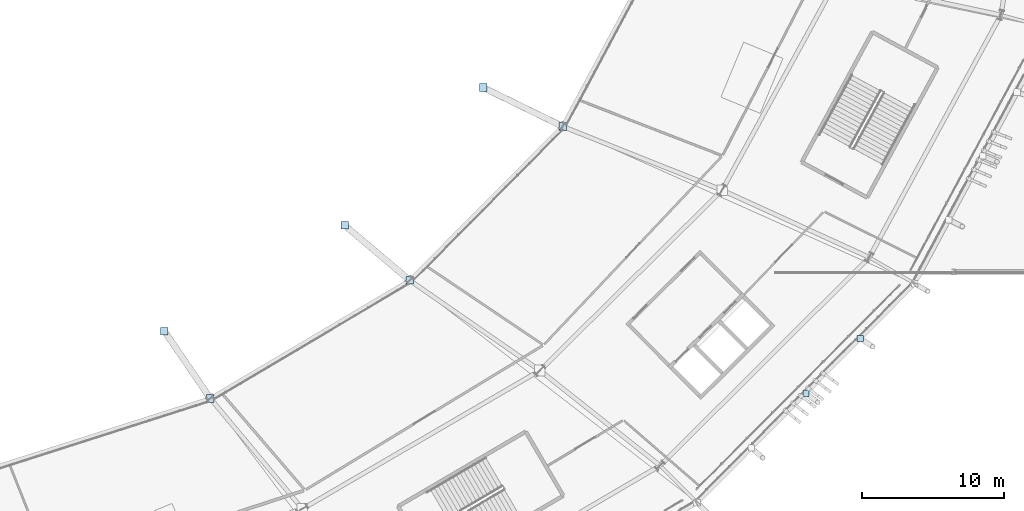
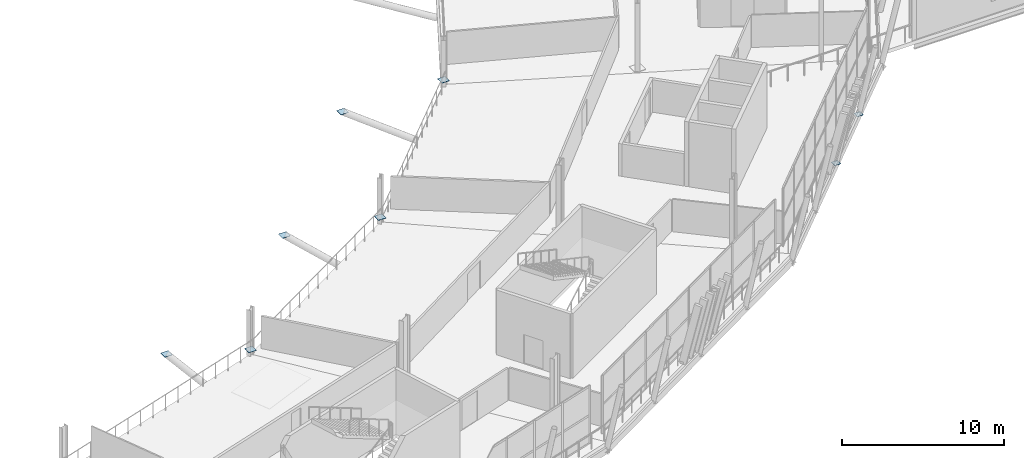
# One storey, part 105 of 168: 8 plates.
"""IFC4 building model written with IfcOpenShell, lengths in metres."""

from ifc_helpers import new_model, si_unit, direction, frame, origin, origin_2d, place, context, subcontext, project, spatial, rectangle, extrude, material, layer, layer_set, type_object, element, save


model = new_model("IFC4")

# Units and contexts
model_context = context("Model", 3, precision=1e-05, world=origin(), true_north=direction((0.0, 1.0)))
body_context = subcontext(model_context, "Body", "Model", "MODEL_VIEW")
ifc_project = project(units=[si_unit("LENGTHUNIT", "METRE"), si_unit("AREAUNIT", "SQUARE_METRE"), si_unit("VOLUMEUNIT", "CUBIC_METRE"), si_unit("PLANEANGLEUNIT", "RADIAN"), si_unit("MASSUNIT", "GRAM", prefix="KILO")], contexts=[model_context])

# Site, building, storey
site_placement = place(None, origin())
site = spatial("IfcSite", under=ifc_project, at=site_placement, CompositionType="ELEMENT")
building_placement = place(site_placement, origin())
building = spatial("IfcBuilding", under=site, at=building_placement, Name="Zlatoyarsky Gate Stadium", CompositionType="ELEMENT")
storey_placement = place(building_placement, frame((0.0, 0.0, 15.60009765625)))
storey = spatial("IfcBuildingStorey", under=building, at=storey_placement, Name="L03", CompositionType="ELEMENT", Elevation=15.60009765625)

# Plates
ifc_material = material(Name="Steel S355", Category="steel")
ifc_layer = layer(ifc_material, 0.02392578125)
ifc_layer_set = layer_set([ifc_layer], Name="Steel S355")
plate_type = type_object("IfcPlateType", Name="STEEL HOLLOW CHORD SPLICE SHEET 24", PredefinedType="SHEET", material=ifc_layer_set)
for number, where, z_axis, x_axis, name in (
    (1, (141.75, 39.296875, -1.761962890625), (0.0, 0.0, 1.0), (1.0, 0.0, 0.0), "Node closure plate ND-SP1 NCAP-UTIP-20"),
    (2, (145.0, 34.53369140625, 0.337890625), (0.0, 0.0, 1.0), (1.0, 0.0, 0.0), "Node closure plate ND-SP1 NCAP-UTOPB-20"),
    (3, (154.487060546875, 46.76611328125, -1.761962890625), (0.0, 0.0, 1.0), (1.0, 0.0, 0.0), "Node closure plate ND-SP1 NCAP-UTIP-21"),
    (4, (159.083251953125, 42.876953125, 0.337890625), (0.0, 0.0, 1.0), (1.0, 0.0, 0.0), "Node closure plate ND-SP1 NCAP-UTOPB-21"),
    (5, (164.260498046875, 56.5, -1.761962890625), (0.0, 0.0, 1.0), (1.0, 0.0, 0.0), "Node closure plate ND-SP1 NCAP-UTIP-22"),
    (6, (169.8896484375, 53.75, 0.337890625), (0.0, 0.0, 1.0), (1.0, 0.0, 0.0), "Node closure plate ND-SP1 NCAP-UTOPB-22"),
):
    element("IfcPlate", number, at=place(storey_placement, frame(where, z_axis=z_axis, x_axis=x_axis)), inside=storey, type_object=plate_type, Name=name, PredefinedType="SHEET", context=body_context, shape_type="SweptSolid", body=[
        extrude(rectangle(XDim=0.5400390625, YDim=0.5400390625, at=origin_2d()), origin(), (0.0, 0.0, 1.0), 0.02392578125),
    ])
for number, where, z_axis, x_axis, name in (
    (7, (187.062744140625, 34.9130859375, -0.5419921875), (0.0, 0.0, 1.0), (1.0, 0.0, 0.0), "Node closure plate ND-SP1 NCAP-RIB-21-2-1T"),
    (8, (190.90478515625, 38.781005859375, -0.5419921875), (0.0, 0.0, 1.0), (1.0, 0.0, 0.0), "Node closure plate ND-SP1 NCAP-RIB-21-3-1T"),
):
    element("IfcPlate", number, at=place(storey_placement, frame(where, z_axis=z_axis, x_axis=x_axis)), inside=storey, type_object=plate_type, Name=name, PredefinedType="SHEET", context=body_context, shape_type="SweptSolid", body=[
        extrude(rectangle(XDim=0.43994140625, YDim=0.43994140625, at=origin_2d()), origin(), (0.0, 0.0, 1.0), 0.02392578125),
    ])

save(model, "model.ifc")
